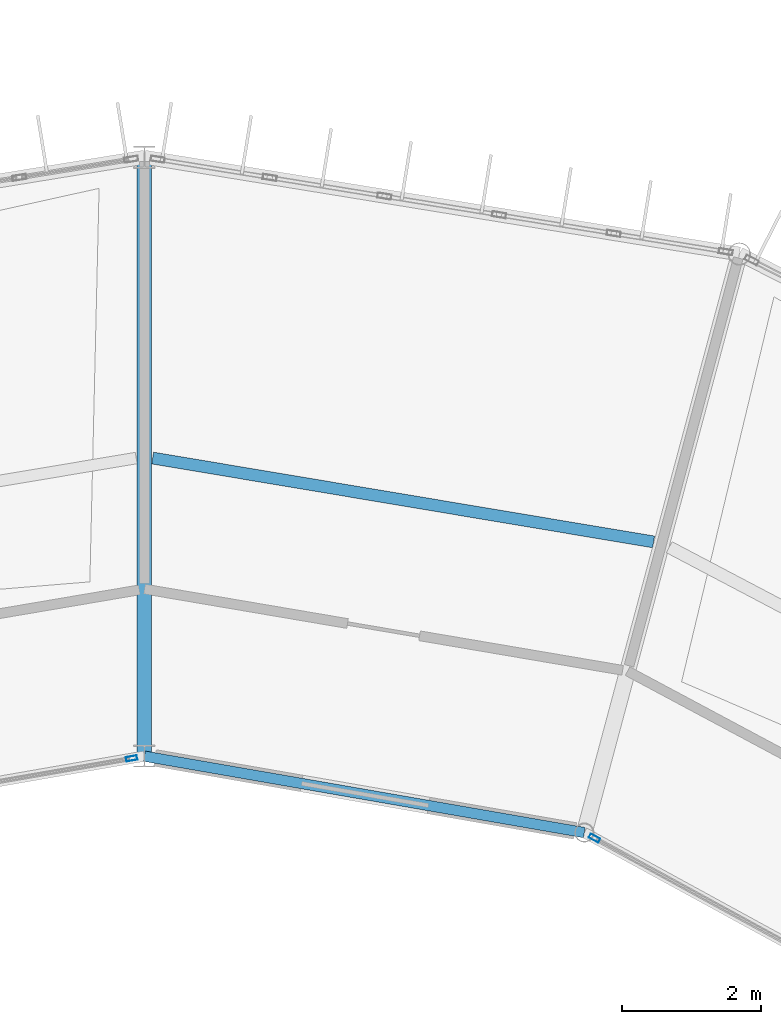
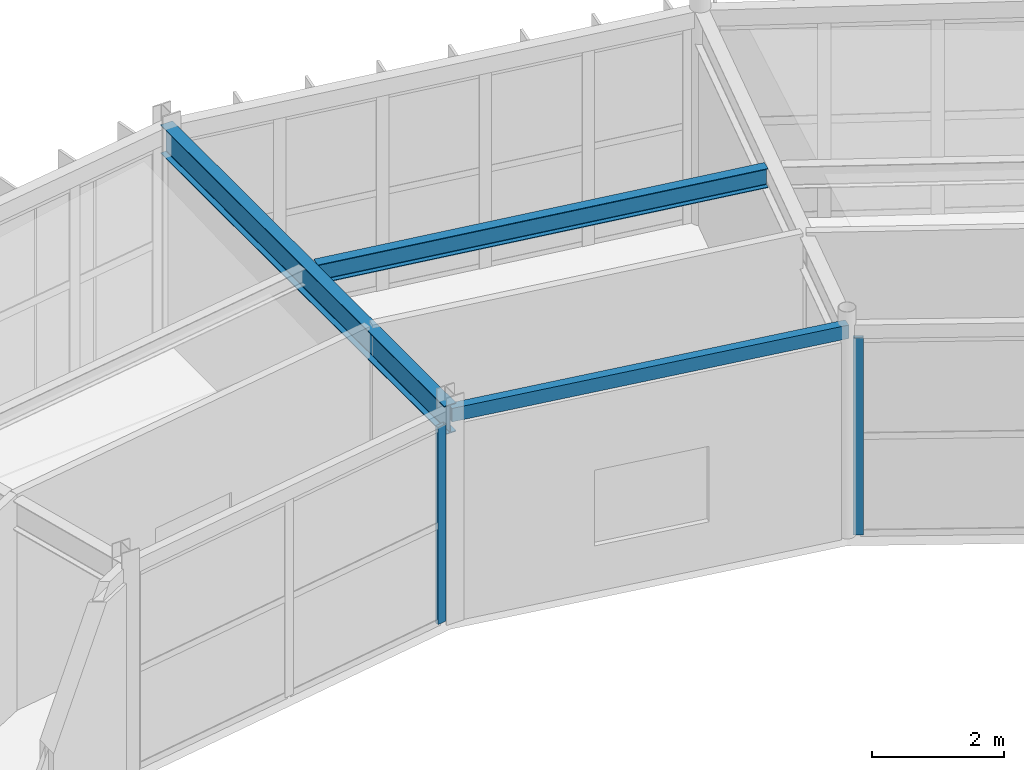
# One storey, part 86 of 147: 3 beams, 2 members, 2 elements without a shape of their own.
"""IFC4 building model written with IfcOpenShell, lengths in metres."""

from ifc_helpers import new_model, si_unit, direction, frame, origin, origin_2d, place, context, subcontext, project, spatial, hollow_rectangle, i_section, extrude, material, material_profile, profile_set, type_object, element, aggregate, save


model = new_model("IFC4")

# Units and contexts
model_context = context("Model", 3, precision=1e-05, world=origin(), true_north=direction((0.0, 1.0)))
body_context = subcontext(model_context, "Body", "Model", "MODEL_VIEW")
ifc_project = project(units=[si_unit("LENGTHUNIT", "METRE"), si_unit("AREAUNIT", "SQUARE_METRE"), si_unit("VOLUMEUNIT", "CUBIC_METRE"), si_unit("PLANEANGLEUNIT", "RADIAN"), si_unit("MASSUNIT", "GRAM", prefix="KILO")], contexts=[model_context])

# Site, building, storey
site_placement = place(None, origin())
site = spatial("IfcSite", under=ifc_project, at=site_placement, CompositionType="ELEMENT")
building_placement = place(site_placement, origin())
building = spatial("IfcBuilding", under=site, at=building_placement, Name="Karori Crest Natural Sciences Institute", CompositionType="ELEMENT")
storey_placement = place(building_placement, frame((0.0, 0.0, 9.10009765625)))
storey = spatial("IfcBuildingStorey", under=building, at=storey_placement, Name="L02", CompositionType="ELEMENT", Elevation=9.10009765625)

# Beams
ifc_material_1 = material(Name="Structural steel AS/NZS 3679.1 Grade 350", Category="steel")
ifc_material_profile_1 = material_profile(ifc_material_1, i_section(OverallWidth=0.208984375, OverallDepth=0.532958984375, WebThickness=0.01025390625, FlangeThickness=0.015625, FilletRadius=0.013916015625, at=origin_2d()), Name="530UB92.4")
ifc_profile_set_1 = profile_set([ifc_material_profile_1], Name="Structural steel AS/NZS 3679.1 Grade 350")
beam_type_1 = type_object("IfcBeamType", Name="BT-05", PredefinedType="BEAM", material=ifc_profile_set_1)
beam_1_placement = place(storey_placement, frame((66.39990234375, 82.10009765625, 3.67333984375), z_axis=(0.0, 1.0, 0.0), x_axis=(-1.0, 0.0, 0.0)))
element("IfcBeam", 1, at=beam_1_placement, inside=storey, type_object=beam_type_1, Name="Beam B-0295", PredefinedType="BEAM", context=body_context, shape_type="SweptSolid", body=[
    extrude(i_section(OverallWidth=0.208984375, OverallDepth=0.532958984375, WebThickness=0.01025390625, FlangeThickness=0.015625, FilletRadius=0.013916015625, at=origin_2d()), origin(), (0.0, 0.0, 1.0), 8.599853515625),
])
ifc_material_2 = material(Name="Hollow structural steel AS/NZS 1163 Grade C350", Category="steel")
ifc_material_profile_2 = material_profile(ifc_material_2, hollow_rectangle(XDim=0.14990234375, YDim=0.25, WallThickness=0.009033203125, at=origin_2d()), Name="RHS250x150x9")
ifc_profile_set_2 = profile_set([ifc_material_profile_2], Name="Hollow structural steel AS/NZS 1163 Grade C350")
beam_type_2 = type_object("IfcBeamType", Name="BT-16", PredefinedType="SPANDREL", material=ifc_profile_set_2)
beam_2_placement = place(storey_placement, frame((72.715087890625, 81.002685546875, 3.789794921875), z_axis=(-0.985234948316, 0.171207758638, 0.0), x_axis=(-0.171207758638, -0.985234948316, 0.0)))
element("IfcBeam", 2, at=beam_2_placement, inside=storey, type_object=beam_type_2, Name="Beam B-0290", PredefinedType="SPANDREL", context=body_context, shape_type="SweptSolid", body=[
    extrude(hollow_rectangle(XDim=0.14990234375, YDim=0.25, WallThickness=0.009033203125, at=origin_2d()), origin(), (0.0, 0.0, 1.0), 6.409912109375),
])
ifc_material_profile_3 = material_profile(ifc_material_1, i_section(OverallWidth=0.1708984375, OverallDepth=0.35595703125, WebThickness=0.00732421875, FlangeThickness=0.011474609375, FilletRadius=0.010986328125, at=origin_2d()), Name="360UB50.7")
ifc_profile_set_3 = profile_set([ifc_material_profile_3], Name="Structural steel AS/NZS 3679.1 Grade 350")
beam_type_3 = type_object("IfcBeamType", Name="BT-30", PredefinedType="BEAM", material=ifc_profile_set_3)
beam_3_placement = place(storey_placement, frame((73.709716796875, 85.176025390625, 3.761962890625), z_axis=(-0.986270575365, 0.165137373632, 0.0), x_axis=(-0.165137373632, -0.986270575365, 0.0)))
element("IfcBeam", 3, at=beam_3_placement, inside=storey, type_object=beam_type_3, Name="Beam B-0292", PredefinedType="BEAM", context=body_context, shape_type="SweptSolid", body=[
    extrude(i_section(OverallWidth=0.1708984375, OverallDepth=0.35595703125, WebThickness=0.00732421875, FlangeThickness=0.011474609375, FilletRadius=0.010986328125, at=origin_2d()), origin(), (0.0, 0.0, 1.0), 7.29150390625),
])

# Curtain wall, member
ifc_material_3 = material(Name="Anodised architectural aluminium 6063-T6", Category="aluminium")
curtain_wall_type_1 = type_object("IfcCurtainWallType", Name="CWT-15", PredefinedType="NOTDEFINED", material=ifc_material_3)
curtain_wall_1_placement = place(storey_placement, origin())
curtain_wall_1 = element("IfcCurtainWall", 4, at=curtain_wall_1_placement, inside=storey, type_object=curtain_wall_type_1, Name="Curtain wall CW-0072", PredefinedType="NOTDEFINED")
ifc_material_profile_4 = material_profile(ifc_material_3, hollow_rectangle(XDim=0.06494140625, YDim=0.159912109375, WallThickness=0.00390625, at=origin_2d()), Name="CWM160x65x4")
ifc_profile_set_4 = profile_set([ifc_material_profile_4], Name="Anodised architectural aluminium 6063-T6")
member_type = type_object("IfcMemberType", Name="CWM-01", PredefinedType="MULLION", material=ifc_profile_set_4)
member_1_placement = place(storey_placement, frame((72.86181640625, 80.922607421875, 0.0), z_axis=(0.0, 0.0, 1.0), x_axis=(-0.479643389875, -0.877463514084, 0.0)))
member_1 = element("IfcMember", 5, at=member_1_placement, type_object=member_type, Name="CW-0072 mullion 3", PredefinedType="MULLION", context=body_context, shape_type="SweptSolid", body=[
    extrude(hollow_rectangle(XDim=0.06494140625, YDim=0.159912109375, WallThickness=0.00390625, at=origin_2d()), origin(), (0.0, 0.0, 1.0), 3.64990234375),
])
aggregate(curtain_wall_1, [member_1])

curtain_wall_type_2 = type_object("IfcCurtainWallType", Name="CWT-12", PredefinedType="NOTDEFINED", material=ifc_material_3)
curtain_wall_2_placement = place(storey_placement, origin())
curtain_wall_2 = element("IfcCurtainWall", 6, at=curtain_wall_2_placement, inside=storey, type_object=curtain_wall_type_2, Name="Curtain wall CW-0075", PredefinedType="NOTDEFINED")
member_2_placement = place(storey_placement, frame((66.216552734375, 82.068115234375, 0.0), z_axis=(0.0, 0.0, 1.0), x_axis=(0.171170381048, -0.985241442821, 0.0)))
member_2 = element("IfcMember", 7, at=member_2_placement, type_object=member_type, Name="CW-0075 mullion 1", PredefinedType="MULLION", context=body_context, shape_type="SweptSolid", body=[
    extrude(hollow_rectangle(XDim=0.06494140625, YDim=0.159912109375, WallThickness=0.00390625, at=origin_2d()), origin(), (0.0, 0.0, 1.0), 3.64990234375),
])
aggregate(curtain_wall_2, [member_2])

save(model, "model.ifc")
